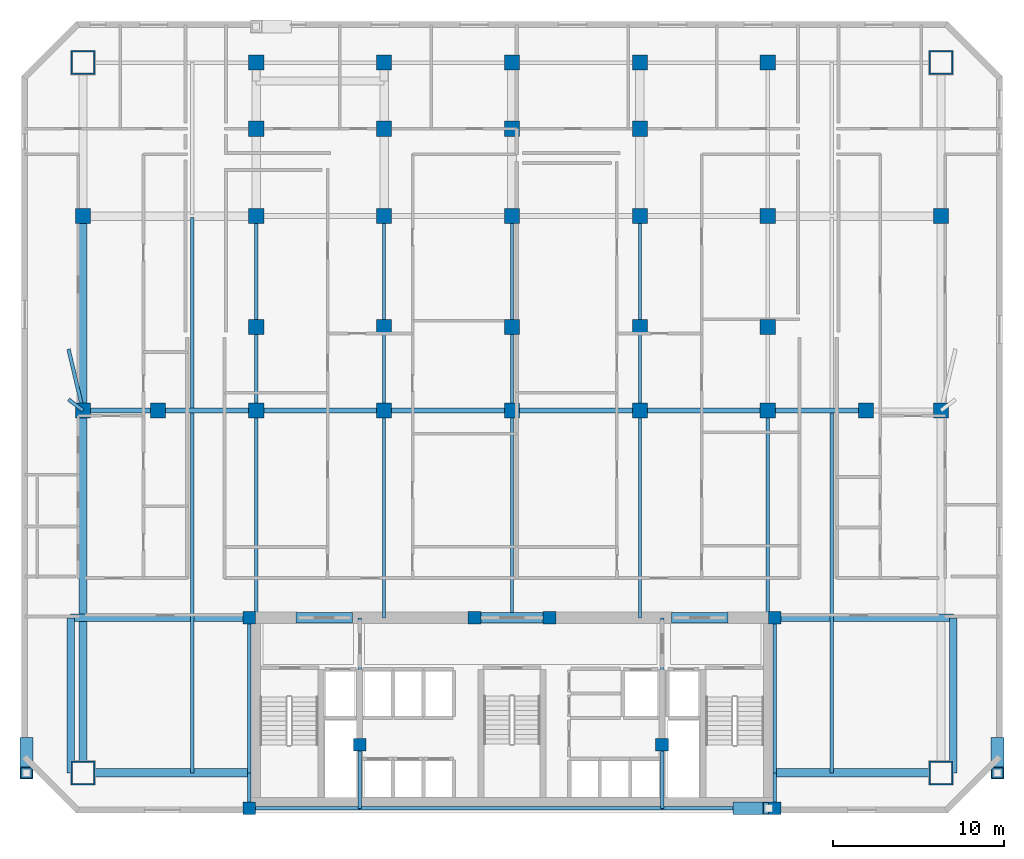
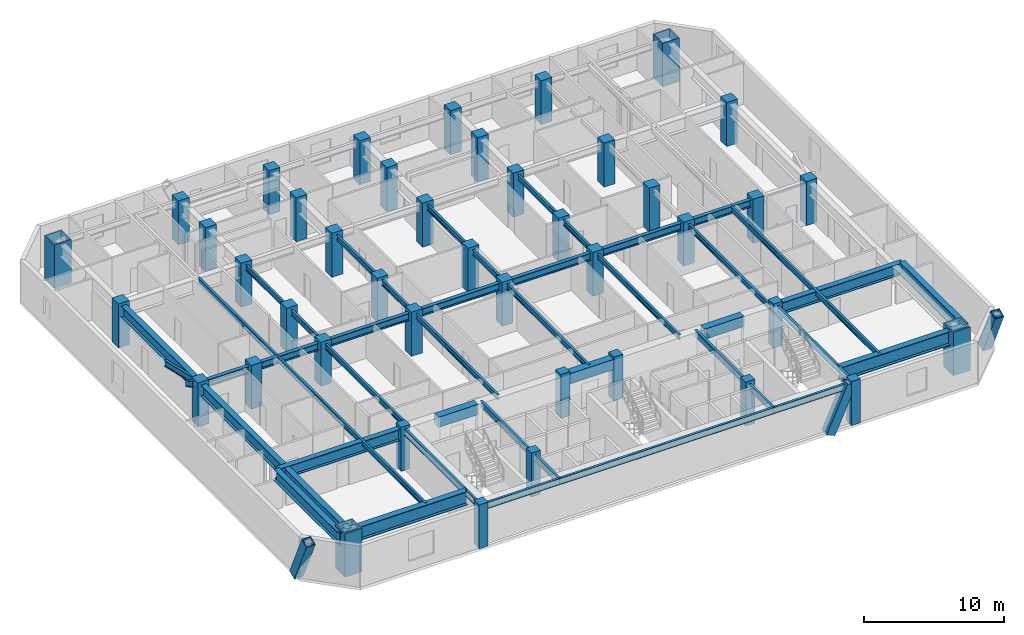
# One storey, part 1 of 10: 42 beams, 42 columns, 3 members.
"""IFC4 building model written with IfcOpenShell, lengths in metres."""

from ifc_helpers import new_model, si_unit, direction, frame, origin, origin_2d, place, context, subcontext, project, spatial, rectangle, hollow_rectangle, i_section, extrude, material, material_profile, profile_set, type_object, element, save


model = new_model("IFC4")

# Units and contexts
model_context = context("Model", 3, precision=1e-05, world=origin(), true_north=direction((0.0, 1.0)))
body_context = subcontext(model_context, "Body", "Model", "MODEL_VIEW")
ifc_project = project(units=[si_unit("LENGTHUNIT", "METRE"), si_unit("AREAUNIT", "SQUARE_METRE"), si_unit("VOLUMEUNIT", "CUBIC_METRE"), si_unit("PLANEANGLEUNIT", "RADIAN"), si_unit("MASSUNIT", "GRAM", prefix="KILO")], contexts=[model_context])

# Site, building, storey
site_placement = place(None, origin())
site = spatial("IfcSite", under=ifc_project, at=site_placement, CompositionType="ELEMENT")
building_placement = place(site_placement, origin())
building = spatial("IfcBuilding", under=site, at=building_placement, Name="Ventersveld Concourse Tower", CompositionType="ELEMENT")
storey_placement = place(building_placement, frame((0.0, 0.0, 88.75)))
storey = spatial("IfcBuildingStorey", under=building, at=storey_placement, Name="L21", CompositionType="ELEMENT", Elevation=88.75)

# Columns
ifc_material_1 = material(Name="Concrete C50/60", Category="concrete")
ifc_material_profile_1 = material_profile(ifc_material_1, rectangle(XDim=0.75, YDim=0.75, at=origin_2d()), Name="RC 750x750")
ifc_profile_set_1 = profile_set([ifc_material_profile_1], Name="Concrete C50/60")
column_type_1 = type_object("IfcColumnType", Name="COL-RC750", PredefinedType="COLUMN", material=ifc_profile_set_1)
for number, where, z_axis, x_axis, name in (
    (1, (13.35009765625, 0.280029296875, 0.0), (0.0, 0.0, 1.0), (1.0, 0.0, 0.0), "L21 Core Spine Column CC-SW"),
    (2, (44.14990234375, 0.280029296875, 0.0), (0.0, 0.0, 1.0), (1.0, 0.0, 0.0), "L21 Core Spine Column CC-SE"),
    (3, (13.35009765625, 11.449951171875, 0.0), (0.0, 0.0, 1.0), (1.0, 0.0, 0.0), "L21 Core Spine Column CC-NW"),
    (4, (44.14990234375, 11.449951171875, 0.0), (0.0, 0.0, 1.0), (1.0, 0.0, 0.0), "L21 Core Spine Column CC-NE"),
    (5, (19.820068359375, 4.0, 0.0), (0.0, 0.0, 1.0), (1.0, 0.0, 0.0), "L21 Core Spine Column CM-1"),
    (6, (37.550048828125, 4.0, 0.0), (0.0, 0.0, 1.0), (1.0, 0.0, 0.0), "L21 Core Spine Column CM-2"),
    (7, (26.550048828125, 11.449951171875, 0.0), (0.0, 0.0, 1.0), (1.0, 0.0, 0.0), "L21 Core Spine Column CM-3"),
    (8, (30.949951171875, 11.449951171875, 0.0), (0.0, 0.0, 1.0), (1.0, 0.0, 0.0), "L21 Core Spine Column CM-4"),
):
    element("IfcColumn", number, at=place(storey_placement, frame(where, z_axis=z_axis, x_axis=x_axis)), inside=storey, type_object=column_type_1, Name=name, PredefinedType="COLUMN", context=body_context, shape_type="SweptSolid", body=[
        extrude(rectangle(XDim=0.75, YDim=0.75, at=origin_2d()), origin(), (0.0, 0.0, 1.0), 3.85009765625),
    ])
ifc_material_2 = material(Name="Concrete C60/75", Category="concrete")
ifc_material_profile_2 = material_profile(ifc_material_2, rectangle(XDim=0.89990234375, YDim=0.89990234375, at=origin_2d()), Name="RC 900x900")
ifc_profile_set_2 = profile_set([ifc_material_profile_2], Name="Concrete C60/75")
column_type_2 = type_object("IfcColumnType", Name="COL-RC900", PredefinedType="COLUMN", material=ifc_profile_set_2)
for number, where, z_axis, x_axis, name in (
    (9, (3.60009765625, 23.60009765625, 0.0), (0.0, 0.0, 1.0), (1.0, 0.0, 0.0), "L21 Interior Gravity Column X=3.60 Y=23.60"),
    (10, (8.0, 23.60009765625, 0.0), (0.0, 0.0, 1.0), (1.0, 0.0, 0.0), "L21 Interior Gravity Column X=8.00 Y=23.60"),
    (11, (13.75, 23.60009765625, 0.0), (0.0, 0.0, 1.0), (1.0, 0.0, 0.0), "L21 Interior Gravity Column X=13.75 Y=23.60"),
    (12, (21.25, 23.60009765625, 0.0), (0.0, 0.0, 1.0), (1.0, 0.0, 0.0), "L21 Interior Gravity Column X=21.25 Y=23.60"),
    (13, (28.75, 23.60009765625, 0.0), (0.0, 0.0, 1.0), (1.0, 0.0, 0.0), "L21 Interior Gravity Column X=28.75 Y=23.60"),
    (14, (36.25, 23.60009765625, 0.0), (0.0, 0.0, 1.0), (1.0, 0.0, 0.0), "L21 Interior Gravity Column X=36.25 Y=23.60"),
    (15, (43.75, 23.60009765625, 0.0), (0.0, 0.0, 1.0), (1.0, 0.0, 0.0), "L21 Interior Gravity Column X=43.75 Y=23.60"),
    (16, (49.5, 23.60009765625, 0.0), (0.0, 0.0, 1.0), (1.0, 0.0, 0.0), "L21 Interior Gravity Column X=49.50 Y=23.60"),
    (17, (53.89990234375, 23.60009765625, 0.0), (0.0, 0.0, 1.0), (1.0, 0.0, 0.0), "L21 Interior Gravity Column X=53.90 Y=23.60"),
    (18, (13.75, 28.5, 0.0), (0.0, 0.0, 1.0), (1.0, 0.0, 0.0), "L21 Upper-North Gravity Column X=13.75 Y=28.50"),
    (19, (21.25, 28.5, 0.0), (0.0, 0.0, 1.0), (1.0, 0.0, 0.0), "L21 Upper-North Gravity Column X=21.25 Y=28.50"),
    (20, (28.75, 28.5, 0.0), (0.0, 0.0, 1.0), (1.0, 0.0, 0.0), "L21 Upper-North Gravity Column X=28.75 Y=28.50"),
    (21, (36.25, 28.5, 0.0), (0.0, 0.0, 1.0), (1.0, 0.0, 0.0), "L21 Upper-North Gravity Column X=36.25 Y=28.50"),
    (22, (43.75, 28.5, 0.0), (0.0, 0.0, 1.0), (1.0, 0.0, 0.0), "L21 Upper-North Gravity Column X=43.75 Y=28.50"),
    (23, (3.60009765625, 35.0, 0.0), (0.0, 0.0, 1.0), (1.0, 0.0, 0.0), "L21 Flank Column X=3.60 Y=35.00"),
    (24, (53.89990234375, 35.0, 0.0), (0.0, 0.0, 1.0), (1.0, 0.0, 0.0), "L21 Flank Column X=53.90 Y=35.00"),
    (25, (13.75, 44.0, 0.0), (0.0, 0.0, 1.0), (1.0, 0.0, 0.0), "L21 North Perimeter Column X=13.75 Y=44.00"),
    (26, (21.25, 44.0, 0.0), (0.0, 0.0, 1.0), (1.0, 0.0, 0.0), "L21 North Perimeter Column X=21.25 Y=44.00"),
    (27, (28.75, 44.0, 0.0), (0.0, 0.0, 1.0), (1.0, 0.0, 0.0), "L21 North Perimeter Column X=28.75 Y=44.00"),
    (28, (36.25, 44.0, 0.0), (0.0, 0.0, 1.0), (1.0, 0.0, 0.0), "L21 North Perimeter Column X=36.25 Y=44.00"),
    (29, (43.75, 44.0, 0.0), (0.0, 0.0, 1.0), (1.0, 0.0, 0.0), "L21 North Perimeter Column X=43.75 Y=44.00"),
    (30, (13.75, 40.1201171875, 0.0), (0.0, 0.0, 1.0), (1.0, 0.0, 0.0), "L21 North Brace Node Column X=13.75 Y=40.12"),
    (31, (21.25, 40.1201171875, 0.0), (0.0, 0.0, 1.0), (1.0, 0.0, 0.0), "L21 North Brace Node Column X=21.25 Y=40.12"),
    (32, (28.75, 40.1201171875, 0.0), (0.0, 0.0, 1.0), (1.0, 0.0, 0.0), "L21 North Brace Node Column X=28.75 Y=40.12"),
    (33, (36.25, 40.1201171875, 0.0), (0.0, 0.0, 1.0), (1.0, 0.0, 0.0), "L21 North Brace Node Column X=36.25 Y=40.12"),
    (34, (13.75, 35.0, 0.0), (0.0, 0.0, 1.0), (1.0, 0.0, 0.0), "L21 Mid-North Column X=13.75 Y=35.00"),
    (35, (21.25, 35.0, 0.0), (0.0, 0.0, 1.0), (1.0, 0.0, 0.0), "L21 Mid-North Column X=21.25 Y=35.00"),
    (36, (28.75, 35.0, 0.0), (0.0, 0.0, 1.0), (1.0, 0.0, 0.0), "L21 Mid-North Column X=28.75 Y=35.00"),
    (37, (36.25, 35.0, 0.0), (0.0, 0.0, 1.0), (1.0, 0.0, 0.0), "L21 Mid-North Column X=36.25 Y=35.00"),
    (38, (43.75, 35.0, 0.0), (0.0, 0.0, 1.0), (1.0, 0.0, 0.0), "L21 Mid-North Column X=43.75 Y=35.00"),
):
    element("IfcColumn", number, at=place(storey_placement, frame(where, z_axis=z_axis, x_axis=x_axis)), inside=storey, type_object=column_type_2, Name=name, PredefinedType="COLUMN", context=body_context, shape_type="SweptSolid", body=[
        extrude(rectangle(XDim=0.89990234375, YDim=0.89990234375, at=origin_2d()), origin(), (0.0, 0.0, 1.0), 3.85009765625),
    ])
ifc_material_3 = material(Name="Structural steel S460ML", Category="steel")
ifc_material_profile_3 = material_profile(ifc_material_3, hollow_rectangle(XDim=1.39990234375, YDim=1.39990234375, WallThickness=0.080078125, at=origin_2d()), Name="BOX 1400x1400x80")
ifc_profile_set_3 = profile_set([ifc_material_profile_3], Name="Structural steel S460ML")
column_type_3 = type_object("IfcColumnType", Name="MC-1400", PredefinedType="USERDEFINED", material=ifc_profile_set_3)
for number, where, z_axis, x_axis, name in (
    (39, (3.60009765625, 2.35009765625, 0.0), (0.0, 0.0, 1.0), (1.0, 0.0, 0.0), "L21 Corner Mega-Column MC-SW"),
    (40, (53.89990234375, 2.35009765625, 0.0), (0.0, 0.0, 1.0), (1.0, 0.0, 0.0), "L21 Corner Mega-Column MC-SE"),
    (41, (53.89990234375, 44.0, 0.0), (0.0, 0.0, 1.0), (1.0, 0.0, 0.0), "L21 Corner Mega-Column MC-NE"),
    (42, (3.60009765625, 44.0, 0.0), (0.0, 0.0, 1.0), (1.0, 0.0, 0.0), "L21 Corner Mega-Column MC-NW"),
):
    element("IfcColumn", number, at=place(storey_placement, frame(where, z_axis=z_axis, x_axis=x_axis)), inside=storey, type_object=column_type_3, Name=name, ObjectType="MEGA_COLUMN", PredefinedType="USERDEFINED", context=body_context, shape_type="SweptSolid", body=[
        extrude(hollow_rectangle(XDim=1.39990234375, YDim=1.39990234375, WallThickness=0.080078125, at=origin_2d()), origin(), (0.0, 0.0, 1.0), 3.800048828125),
    ])

# Beams
ifc_material_4 = material(Name="Structural steel S355J2", Category="steel")
ifc_material_profile_4 = material_profile(ifc_material_4, i_section(OverallWidth=0.19140625, OverallDepth=0.4599609375, WebThickness=0.010009765625, FlangeThickness=0.01611328125, FilletRadius=0.01025390625, at=origin_2d()), Name="UB 457x191x82")
ifc_profile_set_4 = profile_set([ifc_material_profile_4], Name="Structural steel S355J2")
beam_type_1 = type_object("IfcBeamType", Name="BM-UB457H", PredefinedType="BEAM", material=ifc_profile_set_4)
beam_1_placement = place(storey_placement, frame((10.0, 2.35009765625, 3.3701171875), z_axis=(0.0, 1.0, 0.0), x_axis=(-1.0, 0.0, 0.0)))
element("IfcBeam", 43, at=beam_1_placement, inside=storey, type_object=beam_type_1, Name="L21 N-S Composite Floor Beam South X=10.00", PredefinedType="BEAM", context=body_context, shape_type="SweptSolid", body=[
    extrude(i_section(OverallWidth=0.19140625, OverallDepth=0.4599609375, WebThickness=0.010009765625, FlangeThickness=0.01611328125, FilletRadius=0.01025390625, at=origin_2d()), origin(), (0.0, 0.0, 1.0), 21.15478515625),
])
beam_2_placement = place(storey_placement, frame((10.0, 23.695068359375, 3.3701171875), z_axis=(0.0, 1.0, 0.0), x_axis=(-1.0, 0.0, 0.0)))
element("IfcBeam", 44, at=beam_2_placement, inside=storey, type_object=beam_type_1, Name="L21 N-S Composite Floor Beam Mid X=10.00", PredefinedType="BEAM", context=body_context, shape_type="SweptSolid", body=[
    extrude(i_section(OverallWidth=0.19140625, OverallDepth=0.4599609375, WebThickness=0.010009765625, FlangeThickness=0.01611328125, FilletRadius=0.01025390625, at=origin_2d()), origin(), (0.0, 0.0, 1.0), 11.2099609375),
])
beam_3_placement = place(storey_placement, frame((13.75, 11.449951171875, 3.3701171875), z_axis=(0.0, 1.0, 0.0), x_axis=(-1.0, 0.0, 0.0)))
element("IfcBeam", 45, at=beam_3_placement, inside=storey, type_object=beam_type_1, Name="L21 N-S Composite Floor Beam South X=13.75", PredefinedType="BEAM", context=body_context, shape_type="SweptSolid", body=[
    extrude(i_section(OverallWidth=0.19140625, OverallDepth=0.4599609375, WebThickness=0.010009765625, FlangeThickness=0.01611328125, FilletRadius=0.01025390625, at=origin_2d()), origin(), (0.0, 0.0, 1.0), 12.150146484375),
])
beam_4_placement = place(storey_placement, frame((13.75, 23.60009765625, 3.3701171875), z_axis=(0.0, 1.0, 0.0), x_axis=(-1.0, 0.0, 0.0)))
element("IfcBeam", 46, at=beam_4_placement, inside=storey, type_object=beam_type_1, Name="L21 N-S Composite Floor Beam Mid X=13.75", PredefinedType="BEAM", context=body_context, shape_type="SweptSolid", body=[
    extrude(i_section(OverallWidth=0.19140625, OverallDepth=0.4599609375, WebThickness=0.010009765625, FlangeThickness=0.01611328125, FilletRadius=0.01025390625, at=origin_2d()), origin(), (0.0, 0.0, 1.0), 11.39990234375),
])
beam_5_placement = place(storey_placement, frame((21.25, 11.449951171875, 3.3701171875), z_axis=(0.0, 1.0, 0.0), x_axis=(-1.0, 0.0, 0.0)))
element("IfcBeam", 47, at=beam_5_placement, inside=storey, type_object=beam_type_1, Name="L21 N-S Composite Floor Beam South X=21.25", PredefinedType="BEAM", context=body_context, shape_type="SweptSolid", body=[
    extrude(i_section(OverallWidth=0.19140625, OverallDepth=0.4599609375, WebThickness=0.010009765625, FlangeThickness=0.01611328125, FilletRadius=0.01025390625, at=origin_2d()), origin(), (0.0, 0.0, 1.0), 12.150146484375),
])
beam_6_placement = place(storey_placement, frame((21.25, 23.60009765625, 3.3701171875), z_axis=(0.0, 1.0, 0.0), x_axis=(-1.0, 0.0, 0.0)))
element("IfcBeam", 48, at=beam_6_placement, inside=storey, type_object=beam_type_1, Name="L21 N-S Composite Floor Beam Mid X=21.25", PredefinedType="BEAM", context=body_context, shape_type="SweptSolid", body=[
    extrude(i_section(OverallWidth=0.19140625, OverallDepth=0.4599609375, WebThickness=0.010009765625, FlangeThickness=0.01611328125, FilletRadius=0.01025390625, at=origin_2d()), origin(), (0.0, 0.0, 1.0), 11.39990234375),
])
beam_7_placement = place(storey_placement, frame((28.75, 11.449951171875, 3.3701171875), z_axis=(0.0, 1.0, 0.0), x_axis=(-1.0, 0.0, 0.0)))
element("IfcBeam", 49, at=beam_7_placement, inside=storey, type_object=beam_type_1, Name="L21 N-S Composite Floor Beam South X=28.75", PredefinedType="BEAM", context=body_context, shape_type="SweptSolid", body=[
    extrude(i_section(OverallWidth=0.19140625, OverallDepth=0.4599609375, WebThickness=0.010009765625, FlangeThickness=0.01611328125, FilletRadius=0.01025390625, at=origin_2d()), origin(), (0.0, 0.0, 1.0), 12.150146484375),
])
beam_8_placement = place(storey_placement, frame((28.75, 23.60009765625, 3.3701171875), z_axis=(0.0, 1.0, 0.0), x_axis=(-1.0, 0.0, 0.0)))
element("IfcBeam", 50, at=beam_8_placement, inside=storey, type_object=beam_type_1, Name="L21 N-S Composite Floor Beam Mid X=28.75", PredefinedType="BEAM", context=body_context, shape_type="SweptSolid", body=[
    extrude(i_section(OverallWidth=0.19140625, OverallDepth=0.4599609375, WebThickness=0.010009765625, FlangeThickness=0.01611328125, FilletRadius=0.01025390625, at=origin_2d()), origin(), (0.0, 0.0, 1.0), 11.39990234375),
])
beam_9_placement = place(storey_placement, frame((36.25, 11.449951171875, 3.3701171875), z_axis=(0.0, 1.0, 0.0), x_axis=(-1.0, 0.0, 0.0)))
element("IfcBeam", 51, at=beam_9_placement, inside=storey, type_object=beam_type_1, Name="L21 N-S Composite Floor Beam South X=36.25", PredefinedType="BEAM", context=body_context, shape_type="SweptSolid", body=[
    extrude(i_section(OverallWidth=0.19140625, OverallDepth=0.4599609375, WebThickness=0.010009765625, FlangeThickness=0.01611328125, FilletRadius=0.01025390625, at=origin_2d()), origin(), (0.0, 0.0, 1.0), 12.150146484375),
])
beam_10_placement = place(storey_placement, frame((36.25, 23.60009765625, 3.3701171875), z_axis=(0.0, 1.0, 0.0), x_axis=(-1.0, 0.0, 0.0)))
element("IfcBeam", 52, at=beam_10_placement, inside=storey, type_object=beam_type_1, Name="L21 N-S Composite Floor Beam Mid X=36.25", PredefinedType="BEAM", context=body_context, shape_type="SweptSolid", body=[
    extrude(i_section(OverallWidth=0.19140625, OverallDepth=0.4599609375, WebThickness=0.010009765625, FlangeThickness=0.01611328125, FilletRadius=0.01025390625, at=origin_2d()), origin(), (0.0, 0.0, 1.0), 11.39990234375),
])
beam_11_placement = place(storey_placement, frame((43.75, 11.449951171875, 3.3701171875), z_axis=(0.0, 1.0, 0.0), x_axis=(-1.0, 0.0, 0.0)))
element("IfcBeam", 53, at=beam_11_placement, inside=storey, type_object=beam_type_1, Name="L21 N-S Composite Floor Beam South X=43.75", PredefinedType="BEAM", context=body_context, shape_type="SweptSolid", body=[
    extrude(i_section(OverallWidth=0.19140625, OverallDepth=0.4599609375, WebThickness=0.010009765625, FlangeThickness=0.01611328125, FilletRadius=0.01025390625, at=origin_2d()), origin(), (0.0, 0.0, 1.0), 12.150146484375),
])
beam_12_placement = place(storey_placement, frame((47.5, 2.35009765625, 3.3701171875), z_axis=(0.0, 1.0, 0.0), x_axis=(-1.0, 0.0, 0.0)))
element("IfcBeam", 54, at=beam_12_placement, inside=storey, type_object=beam_type_1, Name="L21 N-S Composite Floor Beam South X=47.50", PredefinedType="BEAM", context=body_context, shape_type="SweptSolid", body=[
    extrude(i_section(OverallWidth=0.19140625, OverallDepth=0.4599609375, WebThickness=0.010009765625, FlangeThickness=0.01611328125, FilletRadius=0.01025390625, at=origin_2d()), origin(), (0.0, 0.0, 1.0), 21.15478515625),
])
ifc_material_profile_5 = material_profile(ifc_material_2, rectangle(XDim=0.60009765625, YDim=0.89990234375, at=origin_2d()), Name="RC 600x900")
ifc_profile_set_5 = profile_set([ifc_material_profile_5], Name="Concrete C60/75")
beam_type_2 = type_object("IfcBeamType", Name="CB-RC600x900L", PredefinedType="LINTEL", material=ifc_profile_set_5)
beam_13_placement = place(storey_placement, frame((16.10009765625, 11.449951171875, 3.14990234375), z_axis=(1.0, 0.0, 0.0), x_axis=(0.0, 1.0, 0.0)))
element("IfcBeam", 55, at=beam_13_placement, inside=storey, type_object=beam_type_2, Name="L21 Core Coupling Lintel Beam 1", PredefinedType="LINTEL", context=body_context, shape_type="SweptSolid", body=[
    extrude(rectangle(XDim=0.60009765625, YDim=0.89990234375, at=origin_2d()), origin(), (0.0, 0.0, 1.0), 3.2998046875),
])
beam_14_placement = place(storey_placement, frame((26.5, 11.449951171875, 3.14990234375), z_axis=(1.0, 0.0, 0.0), x_axis=(0.0, 1.0, 0.0)))
element("IfcBeam", 56, at=beam_14_placement, inside=storey, type_object=beam_type_2, Name="L21 Core Coupling Lintel Beam 2", PredefinedType="LINTEL", context=body_context, shape_type="SweptSolid", body=[
    extrude(rectangle(XDim=0.60009765625, YDim=0.89990234375, at=origin_2d()), origin(), (0.0, 0.0, 1.0), 4.5),
])
beam_15_placement = place(storey_placement, frame((38.10009765625, 11.449951171875, 3.14990234375), z_axis=(1.0, 0.0, 0.0), x_axis=(0.0, 1.0, 0.0)))
element("IfcBeam", 57, at=beam_15_placement, inside=storey, type_object=beam_type_2, Name="L21 Core Coupling Lintel Beam 3", PredefinedType="LINTEL", context=body_context, shape_type="SweptSolid", body=[
    extrude(rectangle(XDim=0.60009765625, YDim=0.89990234375, at=origin_2d()), origin(), (0.0, 0.0, 1.0), 3.2998046875),
])
ifc_material_profile_6 = material_profile(ifc_material_4, i_section(OverallWidth=0.2119140625, OverallDepth=0.54443359375, WebThickness=0.0126953125, FlangeThickness=0.021240234375, FilletRadius=0.0126953125, at=origin_2d()), Name="UB 533x210x122")
ifc_profile_set_6 = profile_set([ifc_material_profile_6], Name="Structural steel S355J2")
beam_type_3 = type_object("IfcBeamType", Name="GRD-UB533H", PredefinedType="T_BEAM", material=ifc_profile_set_6)
beam_16_placement = place(storey_placement, frame((13.35009765625, 0.280029296875, 3.32763671875), z_axis=(0.0, 1.0, 0.0), x_axis=(-1.0, 0.0, 0.0)))
element("IfcBeam", 58, at=beam_16_placement, inside=storey, type_object=beam_type_3, Name="L21 Core West Tie Beam S", PredefinedType="T_BEAM", context=body_context, shape_type="SweptSolid", body=[
    extrude(i_section(OverallWidth=0.2119140625, OverallDepth=0.54443359375, WebThickness=0.0126953125, FlangeThickness=0.021240234375, FilletRadius=0.0126953125, at=origin_2d()), origin(), (0.0, 0.0, 1.0), 2.070068359375),
])
beam_17_placement = place(storey_placement, frame((13.35009765625, 2.35009765625, 3.32763671875), z_axis=(0.0, 1.0, 0.0), x_axis=(-1.0, 0.0, 0.0)))
element("IfcBeam", 59, at=beam_17_placement, inside=storey, type_object=beam_type_3, Name="L21 Core West Tie Beam N", PredefinedType="T_BEAM", context=body_context, shape_type="SweptSolid", body=[
    extrude(i_section(OverallWidth=0.2119140625, OverallDepth=0.54443359375, WebThickness=0.0126953125, FlangeThickness=0.021240234375, FilletRadius=0.0126953125, at=origin_2d()), origin(), (0.0, 0.0, 1.0), 9.099853515625),
])
beam_18_placement = place(storey_placement, frame((44.14990234375, 0.280029296875, 3.32763671875), z_axis=(0.0, 1.0, 0.0), x_axis=(-1.0, 0.0, 0.0)))
element("IfcBeam", 60, at=beam_18_placement, inside=storey, type_object=beam_type_3, Name="L21 Core East Tie Beam S", PredefinedType="T_BEAM", context=body_context, shape_type="SweptSolid", body=[
    extrude(i_section(OverallWidth=0.2119140625, OverallDepth=0.54443359375, WebThickness=0.0126953125, FlangeThickness=0.021240234375, FilletRadius=0.0126953125, at=origin_2d()), origin(), (0.0, 0.0, 1.0), 2.070068359375),
])
beam_19_placement = place(storey_placement, frame((44.14990234375, 2.35009765625, 3.32763671875), z_axis=(0.0, 1.0, 0.0), x_axis=(-1.0, 0.0, 0.0)))
element("IfcBeam", 61, at=beam_19_placement, inside=storey, type_object=beam_type_3, Name="L21 Core East Tie Beam N", PredefinedType="T_BEAM", context=body_context, shape_type="SweptSolid", body=[
    extrude(i_section(OverallWidth=0.2119140625, OverallDepth=0.54443359375, WebThickness=0.0126953125, FlangeThickness=0.021240234375, FilletRadius=0.0126953125, at=origin_2d()), origin(), (0.0, 0.0, 1.0), 9.099853515625),
])
beam_20_placement = place(storey_placement, frame((13.35009765625, 0.280029296875, 3.32763671875), z_axis=(1.0, 0.0, 0.0), x_axis=(0.0, 1.0, 0.0)))
element("IfcBeam", 62, at=beam_20_placement, inside=storey, type_object=beam_type_3, Name="L21 Core South Tie Beam W", PredefinedType="T_BEAM", context=body_context, shape_type="SweptSolid", body=[
    extrude(i_section(OverallWidth=0.2119140625, OverallDepth=0.54443359375, WebThickness=0.0126953125, FlangeThickness=0.021240234375, FilletRadius=0.0126953125, at=origin_2d()), origin(), (0.0, 0.0, 1.0), 6.469970703125),
])
beam_21_placement = place(storey_placement, frame((19.820068359375, 0.280029296875, 3.32763671875), z_axis=(1.0, 0.0, 0.0), x_axis=(0.0, 1.0, 0.0)))
element("IfcBeam", 63, at=beam_21_placement, inside=storey, type_object=beam_type_3, Name="L21 Core South Tie Beam C", PredefinedType="T_BEAM", context=body_context, shape_type="SweptSolid", body=[
    extrude(i_section(OverallWidth=0.2119140625, OverallDepth=0.54443359375, WebThickness=0.0126953125, FlangeThickness=0.021240234375, FilletRadius=0.0126953125, at=origin_2d()), origin(), (0.0, 0.0, 1.0), 17.72998046875),
])
beam_22_placement = place(storey_placement, frame((37.550048828125, 0.280029296875, 3.32763671875), z_axis=(1.0, 0.0, 0.0), x_axis=(0.0, 1.0, 0.0)))
element("IfcBeam", 64, at=beam_22_placement, inside=storey, type_object=beam_type_3, Name="L21 Core South Tie Beam E", PredefinedType="T_BEAM", context=body_context, shape_type="SweptSolid", body=[
    extrude(i_section(OverallWidth=0.2119140625, OverallDepth=0.54443359375, WebThickness=0.0126953125, FlangeThickness=0.021240234375, FilletRadius=0.0126953125, at=origin_2d()), origin(), (0.0, 0.0, 1.0), 6.599853515625),
])
beam_23_placement = place(storey_placement, frame((19.820068359375, 0.280029296875, 3.32763671875), z_axis=(0.0, 1.0, 0.0), x_axis=(-1.0, 0.0, 0.0)))
element("IfcBeam", 65, at=beam_23_placement, inside=storey, type_object=beam_type_3, Name="L21 Core Spine N-S Tie Beam W1", PredefinedType="T_BEAM", context=body_context, shape_type="SweptSolid", body=[
    extrude(i_section(OverallWidth=0.2119140625, OverallDepth=0.54443359375, WebThickness=0.0126953125, FlangeThickness=0.021240234375, FilletRadius=0.0126953125, at=origin_2d()), origin(), (0.0, 0.0, 1.0), 3.719970703125),
])
beam_24_placement = place(storey_placement, frame((19.820068359375, 4.0, 3.32763671875), z_axis=(0.0, 1.0, 0.0), x_axis=(-1.0, 0.0, 0.0)))
element("IfcBeam", 66, at=beam_24_placement, inside=storey, type_object=beam_type_3, Name="L21 Core Spine N-S Tie Beam W2", PredefinedType="T_BEAM", context=body_context, shape_type="SweptSolid", body=[
    extrude(i_section(OverallWidth=0.2119140625, OverallDepth=0.54443359375, WebThickness=0.0126953125, FlangeThickness=0.021240234375, FilletRadius=0.0126953125, at=origin_2d()), origin(), (0.0, 0.0, 1.0), 7.449951171875),
])
beam_25_placement = place(storey_placement, frame((37.550048828125, 0.280029296875, 3.32763671875), z_axis=(0.0, 1.0, 0.0), x_axis=(-1.0, 0.0, 0.0)))
element("IfcBeam", 67, at=beam_25_placement, inside=storey, type_object=beam_type_3, Name="L21 Core Spine N-S Tie Beam E1", PredefinedType="T_BEAM", context=body_context, shape_type="SweptSolid", body=[
    extrude(i_section(OverallWidth=0.2119140625, OverallDepth=0.54443359375, WebThickness=0.0126953125, FlangeThickness=0.021240234375, FilletRadius=0.0126953125, at=origin_2d()), origin(), (0.0, 0.0, 1.0), 3.719970703125),
])
beam_26_placement = place(storey_placement, frame((37.550048828125, 4.0, 3.32763671875), z_axis=(0.0, 1.0, 0.0), x_axis=(-1.0, 0.0, 0.0)))
element("IfcBeam", 68, at=beam_26_placement, inside=storey, type_object=beam_type_3, Name="L21 Core Spine N-S Tie Beam E2", PredefinedType="T_BEAM", context=body_context, shape_type="SweptSolid", body=[
    extrude(i_section(OverallWidth=0.2119140625, OverallDepth=0.54443359375, WebThickness=0.0126953125, FlangeThickness=0.021240234375, FilletRadius=0.0126953125, at=origin_2d()), origin(), (0.0, 0.0, 1.0), 7.449951171875),
])
ifc_material_profile_7 = material_profile(ifc_material_4, i_section(OverallWidth=0.311279296875, OverallDepth=0.6357421875, WebThickness=0.018310546875, FlangeThickness=0.031494140625, FilletRadius=0.0166015625, at=origin_2d()), Name="UB 610x305x238")
ifc_profile_set_7 = profile_set([ifc_material_profile_7], Name="Structural steel S355J2")
beam_type_4 = type_object("IfcBeamType", Name="GRD-UB610H", PredefinedType="USERDEFINED", material=ifc_profile_set_7)
beam_27_placement = place(storey_placement, frame((3.60009765625, 23.60009765625, 3.281982421875), z_axis=(1.0, 0.0, 0.0), x_axis=(0.0, 1.0, 0.0)))
element("IfcBeam", 69, at=beam_27_placement, inside=storey, type_object=beam_type_4, Name="L21 Primary E-W Grid Girder Y=23.60 #1", ObjectType="GIRDER", PredefinedType="USERDEFINED", context=body_context, shape_type="SweptSolid", body=[
    extrude(i_section(OverallWidth=0.311279296875, OverallDepth=0.6357421875, WebThickness=0.018310546875, FlangeThickness=0.031494140625, FilletRadius=0.0166015625, at=origin_2d()), origin(), (0.0, 0.0, 1.0), 4.39990234375),
])
beam_28_placement = place(storey_placement, frame((8.0, 23.60009765625, 3.281982421875), z_axis=(1.0, 0.0, 0.0), x_axis=(0.0, 1.0, 0.0)))
element("IfcBeam", 70, at=beam_28_placement, inside=storey, type_object=beam_type_4, Name="L21 Primary E-W Grid Girder Y=23.60 #2", ObjectType="GIRDER", PredefinedType="USERDEFINED", context=body_context, shape_type="SweptSolid", body=[
    extrude(i_section(OverallWidth=0.311279296875, OverallDepth=0.6357421875, WebThickness=0.018310546875, FlangeThickness=0.031494140625, FilletRadius=0.0166015625, at=origin_2d()), origin(), (0.0, 0.0, 1.0), 5.75),
])
for number, where, z_axis, x_axis, name in (
    (71, (13.75, 23.60009765625, 3.281982421875), (1.0, 0.0, 0.0), (0.0, 1.0, 0.0), "L21 Primary E-W Grid Girder Y=23.60 #3"),
    (72, (21.25, 23.60009765625, 3.281982421875), (1.0, 0.0, 0.0), (0.0, 1.0, 0.0), "L21 Primary E-W Grid Girder Y=23.60 #4"),
    (73, (28.75, 23.60009765625, 3.281982421875), (1.0, 0.0, 0.0), (0.0, 1.0, 0.0), "L21 Primary E-W Grid Girder Y=23.60 #5"),
    (74, (36.25, 23.60009765625, 3.281982421875), (1.0, 0.0, 0.0), (0.0, 1.0, 0.0), "L21 Primary E-W Grid Girder Y=23.60 #6"),
):
    element("IfcBeam", number, at=place(storey_placement, frame(where, z_axis=z_axis, x_axis=x_axis)), inside=storey, type_object=beam_type_4, Name=name, ObjectType="GIRDER", PredefinedType="USERDEFINED", context=body_context, shape_type="SweptSolid", body=[
        extrude(i_section(OverallWidth=0.311279296875, OverallDepth=0.6357421875, WebThickness=0.018310546875, FlangeThickness=0.031494140625, FilletRadius=0.0166015625, at=origin_2d()), origin(), (0.0, 0.0, 1.0), 7.5),
    ])
beam_29_placement = place(storey_placement, frame((43.75, 23.60009765625, 3.281982421875), z_axis=(1.0, 0.0, 0.0), x_axis=(0.0, 1.0, 0.0)))
element("IfcBeam", 75, at=beam_29_placement, inside=storey, type_object=beam_type_4, Name="L21 Primary E-W Grid Girder Y=23.60 #7", ObjectType="GIRDER", PredefinedType="USERDEFINED", context=body_context, shape_type="SweptSolid", body=[
    extrude(i_section(OverallWidth=0.311279296875, OverallDepth=0.6357421875, WebThickness=0.018310546875, FlangeThickness=0.031494140625, FilletRadius=0.0166015625, at=origin_2d()), origin(), (0.0, 0.0, 1.0), 5.75),
])

# Members
ifc_material_5 = material(Name="Structural steel S355ML", Category="steel")
ifc_material_profile_8 = material_profile(ifc_material_5, hollow_rectangle(XDim=0.75, YDim=0.75, WallThickness=0.044921875, at=origin_2d()), Name="BOX 750x750x45")
ifc_profile_set_8 = profile_set([ifc_material_profile_8], Name="Structural steel S355ML")
member_type = type_object("IfcMemberType", Name="MB-750x750", PredefinedType="BRACE", material=ifc_profile_set_8)
for number, where, z_axis, x_axis, name in (
    (76, (42.060546875, 0.280029296875, -0.25), (0.411733807219, 0.0, 0.911304159978), (0.0, 1.0, 0.0), "L21 Exterior Mega-Brace S (Module M04)"),
    (77, (0.280029296875, 4.089599609375, -0.25), (0.0, -0.411733807219, 0.911304159978), (1.0, 0.0, 0.0), "L21 Exterior Mega-Brace W (Module M04)"),
    (78, (57.219970703125, 4.089599609375, -0.25), (0.0, -0.411733807219, 0.911304159978), (1.0, 0.0, 0.0), "L21 Exterior Mega-Brace E (Module M04)"),
):
    element("IfcMember", number, at=place(storey_placement, frame(where, z_axis=z_axis, x_axis=x_axis)), inside=storey, type_object=member_type, Name=name, PredefinedType="BRACE", context=body_context, shape_type="SweptSolid", body=[
        extrude(hollow_rectangle(XDim=0.75, YDim=0.75, WallThickness=0.044921875, at=origin_2d()), origin(), (0.0, 0.0, 1.0), 4.224853515625),
    ])

# Beams
ifc_material_profile_9 = material_profile(ifc_material_4, i_section(OverallWidth=0.2119140625, OverallDepth=0.54443359375, WebThickness=0.0126953125, FlangeThickness=0.021240234375, FilletRadius=0.0126953125, at=origin_2d()), Name="UB 533x210x122")
ifc_profile_set_9 = profile_set([ifc_material_profile_9], Name="Structural steel S355J2")
beam_type_5 = type_object("IfcBeamType", Name="SPD-UB533", PredefinedType="SPANDREL", material=ifc_profile_set_9)
beam_30_placement = place(storey_placement, frame((2.75, 24.25, 3.32763671875), z_axis=(0.794435538643, -0.607348478997, 0.0), x_axis=(0.607348478997, 0.794435538643, 0.0)))
element("IfcBeam", 79, at=beam_30_placement, inside=storey, type_object=beam_type_5, Name="L21 West Valley Corner Bracket 1", PredefinedType="SPANDREL", context=body_context, shape_type="SweptSolid", body=[
    extrude(i_section(OverallWidth=0.2119140625, OverallDepth=0.54443359375, WebThickness=0.0126953125, FlangeThickness=0.021240234375, FilletRadius=0.0126953125, at=origin_2d()), origin(), (0.0, 0.0, 1.0), 1.070068359375),
])
beam_31_placement = place(storey_placement, frame((2.75, 27.199951171875, 3.32763671875), z_axis=(0.229826547993, -0.973231605445, 0.0), x_axis=(0.973231605445, 0.229826547993, 0.0)))
element("IfcBeam", 80, at=beam_31_placement, inside=storey, type_object=beam_type_5, Name="L21 West Valley Corner Bracket 2", PredefinedType="SPANDREL", context=body_context, shape_type="SweptSolid", body=[
    extrude(i_section(OverallWidth=0.2119140625, OverallDepth=0.54443359375, WebThickness=0.0126953125, FlangeThickness=0.021240234375, FilletRadius=0.0126953125, at=origin_2d()), origin(), (0.0, 0.0, 1.0), 3.698974609375),
])
ifc_material_profile_10 = material_profile(ifc_material_3, i_section(OverallWidth=0.449951171875, OverallDepth=1.0, WebThickness=0.02392578125, FlangeThickness=0.0400390625, at=origin_2d()), Name="PG 1000x450x40")
ifc_profile_set_10 = profile_set([ifc_material_profile_10], Name="Structural steel S460ML")
beam_type_6 = type_object("IfcBeamType", Name="TG-PG1000", PredefinedType="USERDEFINED", material=ifc_profile_set_10)
beam_32_placement = place(storey_placement, frame((3.60009765625, 2.35009765625, 3.10009765625), z_axis=(0.0, 1.0, 0.0), x_axis=(-1.0, 0.0, 0.0)))
element("IfcBeam", 81, at=beam_32_placement, inside=storey, type_object=beam_type_6, Name="L21 West Edge Support Girder S", ObjectType="TRANSFER_GIRDER", PredefinedType="USERDEFINED", context=body_context, shape_type="SweptSolid", body=[
    extrude(i_section(OverallWidth=0.449951171875, OverallDepth=1.0, WebThickness=0.02392578125, FlangeThickness=0.0400390625, at=origin_2d()), origin(), (0.0, 0.0, 1.0), 32.64990234375),
])
beam_33_placement = place(storey_placement, frame((2.8798828125, 11.449951171875, 3.10009765625), z_axis=(1.0, 0.0, 0.0), x_axis=(0.0, 1.0, 0.0)))
element("IfcBeam", 82, at=beam_33_placement, inside=storey, type_object=beam_type_6, Name="L21 West Perimeter Setback Cantilever 2", ObjectType="TRANSFER_GIRDER", PredefinedType="USERDEFINED", context=body_context, shape_type="SweptSolid", body=[
    extrude(i_section(OverallWidth=0.449951171875, OverallDepth=1.0, WebThickness=0.02392578125, FlangeThickness=0.0400390625, at=origin_2d()), origin(), (0.0, 0.0, 1.0), 10.47021484375),
])
beam_34_placement = place(storey_placement, frame((2.8798828125, 2.35009765625, 3.10009765625), z_axis=(0.0, 1.0, 0.0), x_axis=(-1.0, 0.0, 0.0)))
element("IfcBeam", 83, at=beam_34_placement, inside=storey, type_object=beam_type_6, Name="L21 West Perimeter Setback Edge Girder", ObjectType="TRANSFER_GIRDER", PredefinedType="USERDEFINED", context=body_context, shape_type="SweptSolid", body=[
    extrude(i_section(OverallWidth=0.449951171875, OverallDepth=1.0, WebThickness=0.02392578125, FlangeThickness=0.0400390625, at=origin_2d()), origin(), (0.0, 0.0, 1.0), 9.099853515625),
])
beam_35_placement = place(storey_placement, frame((44.14990234375, 11.449951171875, 3.10009765625), z_axis=(1.0, 0.0, 0.0), x_axis=(0.0, 1.0, 0.0)))
element("IfcBeam", 84, at=beam_35_placement, inside=storey, type_object=beam_type_6, Name="L21 East Perimeter Setback Cantilever 2", ObjectType="TRANSFER_GIRDER", PredefinedType="USERDEFINED", context=body_context, shape_type="SweptSolid", body=[
    extrude(i_section(OverallWidth=0.449951171875, OverallDepth=1.0, WebThickness=0.02392578125, FlangeThickness=0.0400390625, at=origin_2d()), origin(), (0.0, 0.0, 1.0), 10.47021484375),
])
beam_36_placement = place(storey_placement, frame((54.6201171875, 2.35009765625, 3.10009765625), z_axis=(0.0, 1.0, 0.0), x_axis=(-1.0, 0.0, 0.0)))
element("IfcBeam", 85, at=beam_36_placement, inside=storey, type_object=beam_type_6, Name="L21 East Perimeter Setback Edge Girder", ObjectType="TRANSFER_GIRDER", PredefinedType="USERDEFINED", context=body_context, shape_type="SweptSolid", body=[
    extrude(i_section(OverallWidth=0.449951171875, OverallDepth=1.0, WebThickness=0.02392578125, FlangeThickness=0.0400390625, at=origin_2d()), origin(), (0.0, 0.0, 1.0), 9.099853515625),
])
ifc_material_profile_11 = material_profile(ifc_material_3, i_section(OverallWidth=0.5, OverallDepth=1.199951171875, WebThickness=0.028076171875, FlangeThickness=0.044921875, at=origin_2d()), Name="PG 1200x500x45")
ifc_profile_set_11 = profile_set([ifc_material_profile_11], Name="Structural steel S460ML")
beam_type_7 = type_object("IfcBeamType", Name="TG-PG1200", PredefinedType="USERDEFINED", material=ifc_profile_set_11)
for number, where, z_axis, x_axis, name in (
    (86, (2.8798828125, 2.35009765625, 3.0), (1.0, 0.0, 0.0), (0.0, 1.0, 0.0), "L21 SW Mega-Column Transfer Girder"),
    (87, (44.14990234375, 2.35009765625, 3.0), (1.0, 0.0, 0.0), (0.0, 1.0, 0.0), "L21 SE Mega-Column Transfer Girder"),
):
    element("IfcBeam", number, at=place(storey_placement, frame(where, z_axis=z_axis, x_axis=x_axis)), inside=storey, type_object=beam_type_7, Name=name, ObjectType="TRANSFER_GIRDER", PredefinedType="USERDEFINED", context=body_context, shape_type="SweptSolid", body=[
        extrude(i_section(OverallWidth=0.5, OverallDepth=1.199951171875, WebThickness=0.028076171875, FlangeThickness=0.044921875, at=origin_2d()), origin(), (0.0, 0.0, 1.0), 10.47021484375),
    ])

save(model, "model.ifc")
